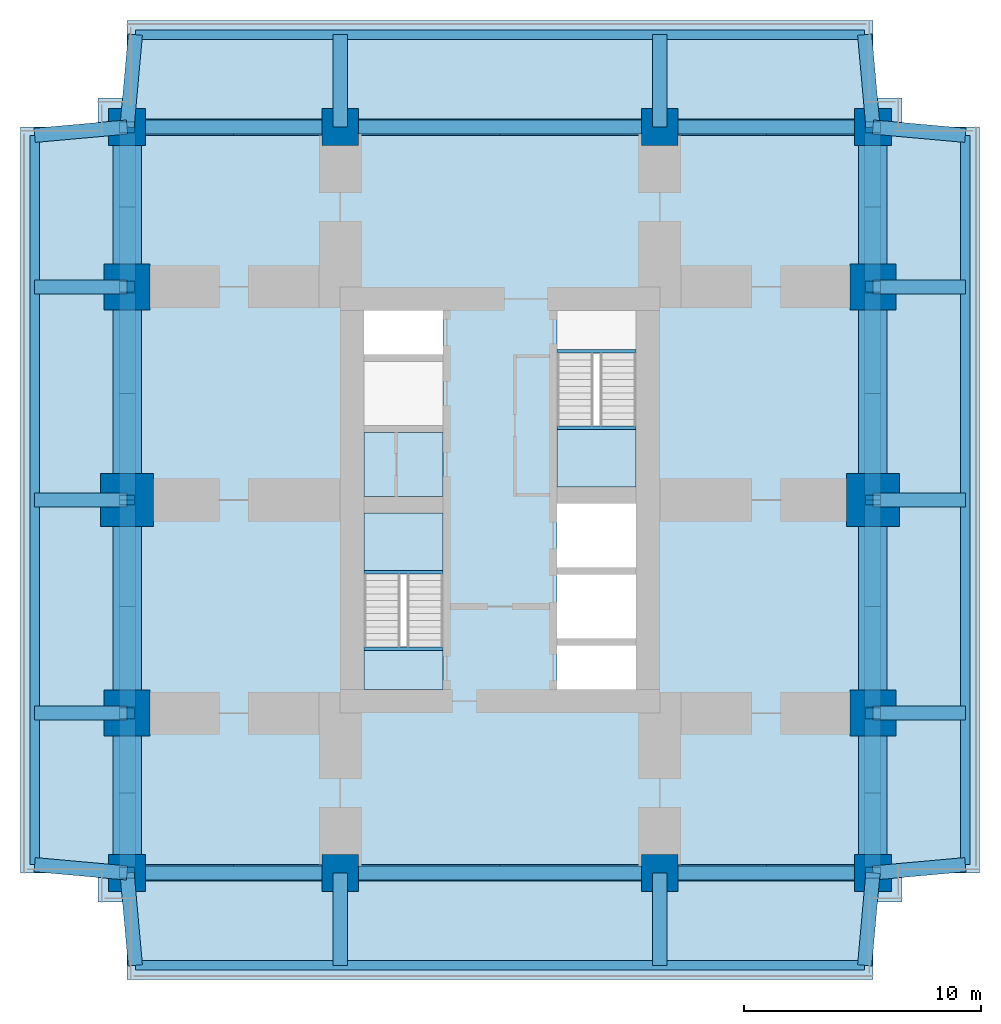
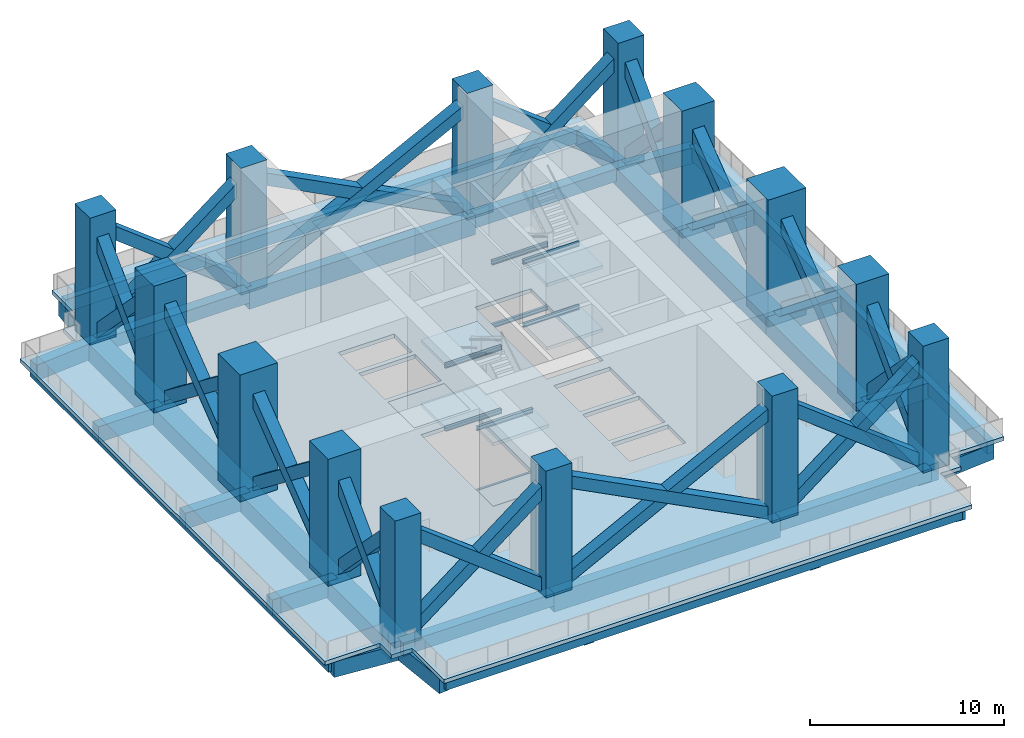
# One storey, part 1 of 6: 44 beams, 28 members, 14 columns, 8 slabs, 2 elements without a shape of their own.
"""IFC4 building model written with IfcOpenShell, lengths in metres."""

from ifc_helpers import new_model, si_unit, direction, frame, origin, origin_2d, place, context, subcontext, project, spatial, polyline, rectangle, hollow_rectangle, i_section, outline, extrude, material, layer, layer_set, material_profile, profile_set, type_object, element, aggregate, save


model = new_model("IFC4")

# Units and contexts
model_context = context("Model", 3, precision=1e-05, world=origin(), true_north=direction((0.0, 1.0)))
body_context = subcontext(model_context, "Body", "Model", "MODEL_VIEW")
ifc_project = project(units=[si_unit("LENGTHUNIT", "METRE"), si_unit("AREAUNIT", "SQUARE_METRE"), si_unit("VOLUMEUNIT", "CUBIC_METRE"), si_unit("PLANEANGLEUNIT", "RADIAN"), si_unit("MASSUNIT", "GRAM", prefix="KILO")], contexts=[model_context])

# Site, building, storey
site_placement = place(None, origin())
site = spatial("IfcSite", under=ifc_project, at=site_placement, CompositionType="ELEMENT")
building_placement = place(site_placement, origin())
building = spatial("IfcBuilding", under=site, at=building_placement, Name="Namib Vertical Campus", CompositionType="ELEMENT")
storey_placement = place(building_placement, frame((0.0, 0.0, 245.0)))
storey = spatial("IfcBuildingStorey", under=building, at=storey_placement, Name="L58", CompositionType="ELEMENT", Elevation=245.0)

# Columns
ifc_material_1 = material(Name="Concrete C60/75", Category="concrete")
ifc_material_profile_1 = material_profile(ifc_material_1, rectangle(XDim=1.550048828125, YDim=1.550048828125, at=origin_2d()))
ifc_profile_set_1 = profile_set([ifc_material_profile_1], Name="Concrete C60/75")
column_type_1 = type_object("IfcColumnType", Name="Column RC 1550x1550", PredefinedType="COLUMN", material=ifc_profile_set_1)
for number, where, z_axis, x_axis, name in (
    (1, (4.5, 4.5, 0.0), (0.0, 0.0, 1.0), (1.0, 0.0, 0.0), "Column C155 L58"),
    (2, (13.5, 4.5, 0.0), (0.0, 0.0, 1.0), (1.0, 0.0, 0.0), "Column C155 L58"),
    (3, (27.0, 4.5, 0.0), (0.0, 0.0, 1.0), (1.0, 0.0, 0.0), "Column C155 L58"),
    (4, (36.0, 4.5, 0.0), (0.0, 0.0, 1.0), (1.0, 0.0, 0.0), "Column C155 L58"),
    (5, (4.5, 36.0, 0.0), (0.0, 0.0, 1.0), (1.0, 0.0, 0.0), "Column C155 L58"),
    (6, (13.5, 36.0, 0.0), (0.0, 0.0, 1.0), (1.0, 0.0, 0.0), "Column C155 L58"),
    (7, (27.0, 36.0, 0.0), (0.0, 0.0, 1.0), (1.0, 0.0, 0.0), "Column C155 L58"),
    (8, (36.0, 36.0, 0.0), (0.0, 0.0, 1.0), (1.0, 0.0, 0.0), "Column C155 L58"),
):
    element("IfcColumn", number, at=place(storey_placement, frame(where, z_axis=z_axis, x_axis=x_axis)), inside=storey, type_object=column_type_1, Name=name, PredefinedType="COLUMN", context=body_context, shape_type="SweptSolid", body=[
        extrude(rectangle(XDim=1.550048828125, YDim=1.550048828125, at=origin_2d()), origin(), (0.0, 0.0, 1.0), 8.0),
    ])
ifc_material_2 = material(Name="Concrete C60/75", Category="concrete")
ifc_material_profile_2 = material_profile(ifc_material_2, rectangle(XDim=1.949951171875, YDim=1.949951171875, at=origin_2d()))
ifc_profile_set_2 = profile_set([ifc_material_profile_2], Name="Concrete C60/75")
column_type_2 = type_object("IfcColumnType", Name="Column RC 1950x1950", PredefinedType="COLUMN", material=ifc_profile_set_2)
for number, where, z_axis, x_axis, name in (
    (9, (4.5, 11.25, 0.0), (0.0, 0.0, 1.0), (1.0, 0.0, 0.0), "Column C195 L58"),
    (10, (36.0, 11.25, 0.0), (0.0, 0.0, 1.0), (1.0, 0.0, 0.0), "Column C195 L58"),
    (11, (4.5, 29.25, 0.0), (0.0, 0.0, 1.0), (1.0, 0.0, 0.0), "Column C195 L58"),
    (12, (36.0, 29.25, 0.0), (0.0, 0.0, 1.0), (1.0, 0.0, 0.0), "Column C195 L58"),
):
    element("IfcColumn", number, at=place(storey_placement, frame(where, z_axis=z_axis, x_axis=x_axis)), inside=storey, type_object=column_type_2, Name=name, PredefinedType="COLUMN", context=body_context, shape_type="SweptSolid", body=[
        extrude(rectangle(XDim=1.949951171875, YDim=1.949951171875, at=origin_2d()), origin(), (0.0, 0.0, 1.0), 8.0),
    ])
ifc_material_3 = material(Name="Concrete C60/75", Category="concrete")
ifc_material_profile_3 = material_profile(ifc_material_3, rectangle(XDim=2.25, YDim=2.25, at=origin_2d()))
ifc_profile_set_3 = profile_set([ifc_material_profile_3], Name="Concrete C60/75")
column_type_3 = type_object("IfcColumnType", Name="Column RC 2250x2250", PredefinedType="COLUMN", material=ifc_profile_set_3)
for number, where, z_axis, x_axis, name in (
    (13, (4.5, 20.25, 0.0), (0.0, 0.0, 1.0), (1.0, 0.0, 0.0), "Column C225 L58"),
    (14, (36.0, 20.25, 0.0), (0.0, 0.0, 1.0), (1.0, 0.0, 0.0), "Column C225 L58"),
):
    element("IfcColumn", number, at=place(storey_placement, frame(where, z_axis=z_axis, x_axis=x_axis)), inside=storey, type_object=column_type_3, Name=name, PredefinedType="COLUMN", context=body_context, shape_type="SweptSolid", body=[
        extrude(rectangle(XDim=2.25, YDim=2.25, at=origin_2d()), origin(), (0.0, 0.0, 1.0), 8.0),
    ])

# Members
ifc_material_4 = material(Name="Steel S355JR", Category="steel")
ifc_material_profile_4 = material_profile(ifc_material_4, hollow_rectangle(XDim=0.699951171875, YDim=0.699951171875, WallThickness=0.0400390625, at=origin_2d()))
ifc_profile_set_4 = profile_set([ifc_material_profile_4], Name="Steel S355JR")
member_type = type_object("IfcMemberType", Name="Belt truss diagonal WB 700x700x40", PredefinedType="BRACE", material=ifc_profile_set_4)
for number, where, z_axis, x_axis, name in (
    (15, (4.5, 4.5, 0.0), (0.79148044328, 0.0, 0.611194492699), (0.0, 1.0, 0.0), "Belt truss diagonal A L58 S1"),
    (16, (13.5, 4.5, 0.0), (-0.79148044328, 0.0, 0.611194492699), (0.0, -1.0, 0.0), "Belt truss diagonal A L58 S2"),
):
    element("IfcMember", number, at=place(storey_placement, frame(where, z_axis=z_axis, x_axis=x_axis)), inside=storey, type_object=member_type, Name=name, PredefinedType="BRACE", context=body_context, shape_type="SweptSolid", body=[
        extrude(hollow_rectangle(XDim=0.699951171875, YDim=0.699951171875, WallThickness=0.0400390625, at=origin_2d()), origin(), (0.0, 0.0, 1.0), 11.37109375),
    ])
for number, where, z_axis, x_axis, name in (
    (17, (13.5, 4.5, 0.0), (0.889097706218, 0.0, 0.457717455203), (0.0, 1.0, 0.0), "Belt truss diagonal A L58 S3"),
    (18, (27.0, 4.5, 0.0), (-0.889097706218, 0.0, 0.457717455203), (0.0, -1.0, 0.0), "Belt truss diagonal A L58 S4"),
):
    element("IfcMember", number, at=place(storey_placement, frame(where, z_axis=z_axis, x_axis=x_axis)), inside=storey, type_object=member_type, Name=name, PredefinedType="BRACE", context=body_context, shape_type="SweptSolid", body=[
        extrude(hollow_rectangle(XDim=0.699951171875, YDim=0.699951171875, WallThickness=0.0400390625, at=origin_2d()), origin(), (0.0, 0.0, 1.0), 15.183837890625),
    ])
for number, where, z_axis, x_axis, name in (
    (19, (27.0, 4.5, 0.0), (0.79148044328, 0.0, 0.611194492699), (0.0, 1.0, 0.0), "Belt truss diagonal A L58 S5"),
    (20, (36.0, 4.5, 0.0), (-0.79148044328, 0.0, 0.611194492699), (0.0, -1.0, 0.0), "Belt truss diagonal A L58 S6"),
    (21, (4.5, 36.0, 0.0), (0.79148044328, 0.0, 0.611194492699), (0.0, 1.0, 0.0), "Belt truss diagonal A L58 N7"),
    (22, (13.5, 36.0, 0.0), (-0.79148044328, 0.0, 0.611194492699), (0.0, -1.0, 0.0), "Belt truss diagonal A L58 N8"),
):
    element("IfcMember", number, at=place(storey_placement, frame(where, z_axis=z_axis, x_axis=x_axis)), inside=storey, type_object=member_type, Name=name, PredefinedType="BRACE", context=body_context, shape_type="SweptSolid", body=[
        extrude(hollow_rectangle(XDim=0.699951171875, YDim=0.699951171875, WallThickness=0.0400390625, at=origin_2d()), origin(), (0.0, 0.0, 1.0), 11.37109375),
    ])
for number, where, z_axis, x_axis, name in (
    (23, (13.5, 36.0, 0.0), (0.889097706218, 0.0, 0.457717455203), (0.0, 1.0, 0.0), "Belt truss diagonal A L58 N9"),
    (24, (27.0, 36.0, 0.0), (-0.889097706218, 0.0, 0.457717455203), (0.0, -1.0, 0.0), "Belt truss diagonal A L58 N10"),
):
    element("IfcMember", number, at=place(storey_placement, frame(where, z_axis=z_axis, x_axis=x_axis)), inside=storey, type_object=member_type, Name=name, PredefinedType="BRACE", context=body_context, shape_type="SweptSolid", body=[
        extrude(hollow_rectangle(XDim=0.699951171875, YDim=0.699951171875, WallThickness=0.0400390625, at=origin_2d()), origin(), (0.0, 0.0, 1.0), 15.183837890625),
    ])
for number, where, z_axis, x_axis, name in (
    (25, (27.0, 36.0, 0.0), (0.79148044328, 0.0, 0.611194492699), (0.0, 1.0, 0.0), "Belt truss diagonal A L58 N11"),
    (26, (36.0, 36.0, 0.0), (-0.79148044328, 0.0, 0.611194492699), (0.0, -1.0, 0.0), "Belt truss diagonal A L58 N12"),
):
    element("IfcMember", number, at=place(storey_placement, frame(where, z_axis=z_axis, x_axis=x_axis)), inside=storey, type_object=member_type, Name=name, PredefinedType="BRACE", context=body_context, shape_type="SweptSolid", body=[
        extrude(hollow_rectangle(XDim=0.699951171875, YDim=0.699951171875, WallThickness=0.0400390625, at=origin_2d()), origin(), (0.0, 0.0, 1.0), 11.37109375),
    ])
for number, where, z_axis, x_axis, name in (
    (27, (4.5, 4.5, 0.0), (0.0, 0.696712336785, 0.717350625407), (-1.0, 0.0, 0.0), "Belt truss diagonal A L58 W13"),
    (28, (4.5, 11.25, 0.0), (0.0, -0.696712336785, 0.717350625407), (1.0, 0.0, 0.0), "Belt truss diagonal A L58 W14"),
):
    element("IfcMember", number, at=place(storey_placement, frame(where, z_axis=z_axis, x_axis=x_axis)), inside=storey, type_object=member_type, Name=name, PredefinedType="BRACE", context=body_context, shape_type="SweptSolid", body=[
        extrude(hollow_rectangle(XDim=0.699951171875, YDim=0.699951171875, WallThickness=0.0400390625, at=origin_2d()), origin(), (0.0, 0.0, 1.0), 9.6884765625),
    ])
for number, where, z_axis, x_axis, name in (
    (29, (4.5, 11.25, 0.0), (0.0, 0.79148044328, 0.611194492699), (-1.0, 0.0, 0.0), "Belt truss diagonal A L58 W15"),
    (30, (4.5, 20.25, 0.0), (0.0, -0.79148044328, 0.611194492699), (1.0, 0.0, 0.0), "Belt truss diagonal A L58 W16"),
    (31, (4.5, 20.25, 0.0), (0.0, 0.79148044328, 0.611194492699), (-1.0, 0.0, 0.0), "Belt truss diagonal A L58 W17"),
    (32, (4.5, 29.25, 0.0), (0.0, -0.79148044328, 0.611194492699), (1.0, 0.0, 0.0), "Belt truss diagonal A L58 W18"),
):
    element("IfcMember", number, at=place(storey_placement, frame(where, z_axis=z_axis, x_axis=x_axis)), inside=storey, type_object=member_type, Name=name, PredefinedType="BRACE", context=body_context, shape_type="SweptSolid", body=[
        extrude(hollow_rectangle(XDim=0.699951171875, YDim=0.699951171875, WallThickness=0.0400390625, at=origin_2d()), origin(), (0.0, 0.0, 1.0), 11.37109375),
    ])
for number, where, z_axis, x_axis, name in (
    (33, (4.5, 29.25, 0.0), (0.0, 0.696712336785, 0.717350625407), (-1.0, 0.0, 0.0), "Belt truss diagonal A L58 W19"),
    (34, (4.5, 36.0, 0.0), (0.0, -0.696712336785, 0.717350625407), (1.0, 0.0, 0.0), "Belt truss diagonal A L58 W20"),
    (35, (36.0, 4.5, 0.0), (0.0, 0.696712336785, 0.717350625407), (-1.0, 0.0, 0.0), "Belt truss diagonal A L58 E21"),
    (36, (36.0, 11.25, 0.0), (0.0, -0.696712336785, 0.717350625407), (1.0, 0.0, 0.0), "Belt truss diagonal A L58 E22"),
):
    element("IfcMember", number, at=place(storey_placement, frame(where, z_axis=z_axis, x_axis=x_axis)), inside=storey, type_object=member_type, Name=name, PredefinedType="BRACE", context=body_context, shape_type="SweptSolid", body=[
        extrude(hollow_rectangle(XDim=0.699951171875, YDim=0.699951171875, WallThickness=0.0400390625, at=origin_2d()), origin(), (0.0, 0.0, 1.0), 9.6884765625),
    ])
for number, where, z_axis, x_axis, name in (
    (37, (36.0, 11.25, 0.0), (0.0, 0.79148044328, 0.611194492699), (-1.0, 0.0, 0.0), "Belt truss diagonal A L58 E23"),
    (38, (36.0, 20.25, 0.0), (0.0, -0.79148044328, 0.611194492699), (1.0, 0.0, 0.0), "Belt truss diagonal A L58 E24"),
    (39, (36.0, 20.25, 0.0), (0.0, 0.79148044328, 0.611194492699), (-1.0, 0.0, 0.0), "Belt truss diagonal A L58 E25"),
    (40, (36.0, 29.25, 0.0), (0.0, -0.79148044328, 0.611194492699), (1.0, 0.0, 0.0), "Belt truss diagonal A L58 E26"),
):
    element("IfcMember", number, at=place(storey_placement, frame(where, z_axis=z_axis, x_axis=x_axis)), inside=storey, type_object=member_type, Name=name, PredefinedType="BRACE", context=body_context, shape_type="SweptSolid", body=[
        extrude(hollow_rectangle(XDim=0.699951171875, YDim=0.699951171875, WallThickness=0.0400390625, at=origin_2d()), origin(), (0.0, 0.0, 1.0), 11.37109375),
    ])
for number, where, z_axis, x_axis, name in (
    (41, (36.0, 29.25, 0.0), (0.0, 0.696712336785, 0.717350625407), (-1.0, 0.0, 0.0), "Belt truss diagonal A L58 E27"),
    (42, (36.0, 36.0, 0.0), (0.0, -0.696712336785, 0.717350625407), (1.0, 0.0, 0.0), "Belt truss diagonal A L58 E28"),
):
    element("IfcMember", number, at=place(storey_placement, frame(where, z_axis=z_axis, x_axis=x_axis)), inside=storey, type_object=member_type, Name=name, PredefinedType="BRACE", context=body_context, shape_type="SweptSolid", body=[
        extrude(hollow_rectangle(XDim=0.699951171875, YDim=0.699951171875, WallThickness=0.0400390625, at=origin_2d()), origin(), (0.0, 0.0, 1.0), 9.6884765625),
    ])

# Beams
ifc_material_5 = material(Name="Concrete C40/50", Category="concrete")
ifc_material_profile_5 = material_profile(ifc_material_5, rectangle(XDim=1.199951171875, YDim=1.10009765625, at=origin_2d()))
ifc_profile_set_5 = profile_set([ifc_material_profile_5], Name="Concrete C40/50")
beam_type_1 = type_object("IfcBeamType", Name="Face ring beam RC 1200x1100", PredefinedType="BEAM", material=ifc_profile_set_5)
beam_1_placement = place(storey_placement, frame((4.5, 4.5, -0.800048828125), z_axis=(0.0, 1.0, 0.0), x_axis=(-1.0, 0.0, 0.0)))
element("IfcBeam", 43, at=beam_1_placement, inside=storey, type_object=beam_type_1, Name="Beam B11 L58", PredefinedType="BEAM", context=body_context, shape_type="SweptSolid", body=[
    extrude(rectangle(XDim=1.199951171875, YDim=1.10009765625, at=origin_2d()), origin(), (0.0, 0.0, 1.0), 6.75),
])
for number, where, z_axis, x_axis, name in (
    (44, (4.5, 11.25, -0.800048828125), (0.0, 1.0, 0.0), (-1.0, 0.0, 0.0), "Beam B11 L58"),
    (45, (4.5, 20.25, -0.800048828125), (0.0, 1.0, 0.0), (-1.0, 0.0, 0.0), "Beam B11 L58"),
):
    element("IfcBeam", number, at=place(storey_placement, frame(where, z_axis=z_axis, x_axis=x_axis)), inside=storey, type_object=beam_type_1, Name=name, PredefinedType="BEAM", context=body_context, shape_type="SweptSolid", body=[
        extrude(rectangle(XDim=1.199951171875, YDim=1.10009765625, at=origin_2d()), origin(), (0.0, 0.0, 1.0), 9.0),
    ])
for number, where, z_axis, x_axis, name in (
    (46, (4.5, 29.25, -0.800048828125), (0.0, 1.0, 0.0), (-1.0, 0.0, 0.0), "Beam B11 L58"),
    (47, (36.0, 4.5, -0.800048828125), (0.0, 1.0, 0.0), (-1.0, 0.0, 0.0), "Beam B11 L58"),
):
    element("IfcBeam", number, at=place(storey_placement, frame(where, z_axis=z_axis, x_axis=x_axis)), inside=storey, type_object=beam_type_1, Name=name, PredefinedType="BEAM", context=body_context, shape_type="SweptSolid", body=[
        extrude(rectangle(XDim=1.199951171875, YDim=1.10009765625, at=origin_2d()), origin(), (0.0, 0.0, 1.0), 6.75),
    ])
for number, where, z_axis, x_axis, name in (
    (48, (36.0, 11.25, -0.800048828125), (0.0, 1.0, 0.0), (-1.0, 0.0, 0.0), "Beam B11 L58"),
    (49, (36.0, 20.25, -0.800048828125), (0.0, 1.0, 0.0), (-1.0, 0.0, 0.0), "Beam B11 L58"),
):
    element("IfcBeam", number, at=place(storey_placement, frame(where, z_axis=z_axis, x_axis=x_axis)), inside=storey, type_object=beam_type_1, Name=name, PredefinedType="BEAM", context=body_context, shape_type="SweptSolid", body=[
        extrude(rectangle(XDim=1.199951171875, YDim=1.10009765625, at=origin_2d()), origin(), (0.0, 0.0, 1.0), 9.0),
    ])
beam_2_placement = place(storey_placement, frame((36.0, 29.25, -0.800048828125), z_axis=(0.0, 1.0, 0.0), x_axis=(-1.0, 0.0, 0.0)))
element("IfcBeam", 50, at=beam_2_placement, inside=storey, type_object=beam_type_1, Name="Beam B11 L58", PredefinedType="BEAM", context=body_context, shape_type="SweptSolid", body=[
    extrude(rectangle(XDim=1.199951171875, YDim=1.10009765625, at=origin_2d()), origin(), (0.0, 0.0, 1.0), 6.75),
])
ifc_material_6 = material(Name="Steel S355JR", Category="steel")
ifc_material_profile_6 = material_profile(ifc_material_6, i_section(OverallWidth=0.14599609375, OverallDepth=0.25146484375, WebThickness=0.006103515625, FlangeThickness=0.008544921875, FilletRadius=0.007568359375, at=origin_2d()))
ifc_profile_set_6 = profile_set([ifc_material_profile_6], Name="Steel S355JR")
beam_type_2 = type_object("IfcBeamType", Name="Landing trimmer UB 254x146x31", PredefinedType="BEAM", material=ifc_profile_set_6)
for number, where, z_axis, x_axis, name in (
    (51, (14.5, 13.97705078125, -0.125732421875), (1.0, 0.0, 0.0), (0.0, 1.0, 0.0), "Landing trimmer LT1 A-S1 L58 1"),
    (52, (14.5, 17.203125, 1.874267578125), (1.0, 0.0, 0.0), (0.0, 1.0, 0.0), "Landing trimmer LT1 A-S1 L58 2"),
    (53, (14.5, 13.97705078125, 3.874267578125), (1.0, 0.0, 0.0), (0.0, 1.0, 0.0), "Landing trimmer LT1 A-S1 L58 3"),
    (54, (14.5, 17.203125, 5.874267578125), (1.0, 0.0, 0.0), (0.0, 1.0, 0.0), "Landing trimmer LT1 A-S1 L58 4"),
    (55, (22.64990234375, 26.52294921875, -0.125732421875), (1.0, 0.0, 0.0), (0.0, 1.0, 0.0), "Landing trimmer LT1 A-S2 L58 1"),
    (56, (22.64990234375, 23.296875, 1.874267578125), (1.0, 0.0, 0.0), (0.0, 1.0, 0.0), "Landing trimmer LT1 A-S2 L58 2"),
    (57, (22.64990234375, 26.52294921875, 3.874267578125), (1.0, 0.0, 0.0), (0.0, 1.0, 0.0), "Landing trimmer LT1 A-S2 L58 3"),
    (58, (22.64990234375, 23.296875, 5.874267578125), (1.0, 0.0, 0.0), (0.0, 1.0, 0.0), "Landing trimmer LT1 A-S2 L58 4"),
):
    element("IfcBeam", number, at=place(storey_placement, frame(where, z_axis=z_axis, x_axis=x_axis)), inside=storey, type_object=beam_type_2, Name=name, PredefinedType="BEAM", context=body_context, shape_type="SweptSolid", body=[
        extrude(i_section(OverallWidth=0.14599609375, OverallDepth=0.25146484375, WebThickness=0.006103515625, FlangeThickness=0.008544921875, FilletRadius=0.007568359375, at=origin_2d()), origin(), (0.0, 0.0, 1.0), 3.35009765625),
    ])
ifc_material_7 = material(Name="Concrete C40/50", Category="concrete")
ifc_material_profile_7 = material_profile(ifc_material_7, rectangle(XDim=0.60009765625, YDim=1.199951171875, at=origin_2d()))
ifc_profile_set_7 = profile_set([ifc_material_profile_7], Name="Concrete C40/50")
beam_type_3 = type_object("IfcBeamType", Name="Long-span ring beam RC 600x1200", PredefinedType="BEAM", material=ifc_profile_set_7)
for number, where, z_axis, x_axis, name in (
    (59, (13.5, 4.5, -0.85009765625), (1.0, 0.0, 0.0), (0.0, 1.0, 0.0), "Beam B9 L58"),
    (60, (13.5, 36.0, -0.85009765625), (1.0, 0.0, 0.0), (0.0, 1.0, 0.0), "Beam B9 L58"),
):
    element("IfcBeam", number, at=place(storey_placement, frame(where, z_axis=z_axis, x_axis=x_axis)), inside=storey, type_object=beam_type_3, Name=name, PredefinedType="BEAM", context=body_context, shape_type="SweptSolid", body=[
        extrude(rectangle(XDim=0.60009765625, YDim=1.199951171875, at=origin_2d()), origin(), (0.0, 0.0, 1.0), 13.5),
    ])
ifc_material_8 = material(Name="Concrete C40/50", Category="concrete")
ifc_material_profile_8 = material_profile(ifc_material_8, rectangle(XDim=0.60009765625, YDim=1.0, at=origin_2d()))
ifc_profile_set_8 = profile_set([ifc_material_profile_8], Name="Concrete C40/50")
beam_type_4 = type_object("IfcBeamType", Name="Portal cantilever girder RC 600x1000", PredefinedType="BEAM", material=ifc_profile_set_8)
beam_3_placement = place(storey_placement, frame((4.5, 4.5, -0.75), z_axis=(0.089411326146, -0.995994786511, 0.0), x_axis=(0.995994786511, 0.089411326146, 0.0)))
element("IfcBeam", 61, at=beam_3_placement, inside=storey, type_object=beam_type_4, Name="Beam B14 L58", PredefinedType="BEAM", context=body_context, shape_type="SweptSolid", body=[
    extrude(rectangle(XDim=0.60009765625, YDim=1.0, at=origin_2d()), origin(), (0.0, 0.0, 1.0), 3.91552734375),
])
for number, where, z_axis, x_axis, name in (
    (62, (13.5, 4.5, -0.75), (0.0, -1.0, 0.0), (1.0, 0.0, 0.0), "Beam B14 L58"),
    (63, (27.0, 4.5, -0.75), (0.0, -1.0, 0.0), (1.0, 0.0, 0.0), "Beam B14 L58"),
):
    element("IfcBeam", number, at=place(storey_placement, frame(where, z_axis=z_axis, x_axis=x_axis)), inside=storey, type_object=beam_type_4, Name=name, PredefinedType="BEAM", context=body_context, shape_type="SweptSolid", body=[
        extrude(rectangle(XDim=0.60009765625, YDim=1.0, at=origin_2d()), origin(), (0.0, 0.0, 1.0), 3.89990234375),
    ])
for number, where, z_axis, x_axis, name in (
    (64, (36.0, 4.5, -0.75), (-0.089411326146, -0.995994786511, 0.0), (0.995994786511, -0.089411326146, 0.0), "Beam B14 L58"),
    (65, (4.5, 36.0, -0.75), (0.089411326146, 0.995994786511, 0.0), (-0.995994786511, 0.089411326146, 0.0), "Beam B14 L58"),
):
    element("IfcBeam", number, at=place(storey_placement, frame(where, z_axis=z_axis, x_axis=x_axis)), inside=storey, type_object=beam_type_4, Name=name, PredefinedType="BEAM", context=body_context, shape_type="SweptSolid", body=[
        extrude(rectangle(XDim=0.60009765625, YDim=1.0, at=origin_2d()), origin(), (0.0, 0.0, 1.0), 3.91552734375),
    ])
for number, where, z_axis, x_axis, name in (
    (66, (13.5, 36.0, -0.75), (0.0, 1.0, 0.0), (-1.0, 0.0, 0.0), "Beam B14 L58"),
    (67, (27.0, 36.0, -0.75), (0.0, 1.0, 0.0), (-1.0, 0.0, 0.0), "Beam B14 L58"),
):
    element("IfcBeam", number, at=place(storey_placement, frame(where, z_axis=z_axis, x_axis=x_axis)), inside=storey, type_object=beam_type_4, Name=name, PredefinedType="BEAM", context=body_context, shape_type="SweptSolid", body=[
        extrude(rectangle(XDim=0.60009765625, YDim=1.0, at=origin_2d()), origin(), (0.0, 0.0, 1.0), 3.89990234375),
    ])
for number, where, z_axis, x_axis, name in (
    (68, (36.0, 36.0, -0.75), (-0.089411326146, 0.995994786511, 0.0), (-0.995994786511, -0.089411326146, 0.0), "Beam B14 L58"),
    (69, (4.5, 4.5, -0.75), (-0.995994786511, 0.089411326146, 0.0), (-0.089411326146, -0.995994786511, 0.0), "Beam B14 L58"),
):
    element("IfcBeam", number, at=place(storey_placement, frame(where, z_axis=z_axis, x_axis=x_axis)), inside=storey, type_object=beam_type_4, Name=name, PredefinedType="BEAM", context=body_context, shape_type="SweptSolid", body=[
        extrude(rectangle(XDim=0.60009765625, YDim=1.0, at=origin_2d()), origin(), (0.0, 0.0, 1.0), 3.91552734375),
    ])
for number, where, z_axis, x_axis, name in (
    (70, (4.5, 11.25, -0.75), (-1.0, 0.0, 0.0), (0.0, -1.0, 0.0), "Beam B14 L58"),
    (71, (4.5, 20.25, -0.75), (-1.0, 0.0, 0.0), (0.0, -1.0, 0.0), "Beam B14 L58"),
    (72, (4.5, 29.25, -0.75), (-1.0, 0.0, 0.0), (0.0, -1.0, 0.0), "Beam B14 L58"),
):
    element("IfcBeam", number, at=place(storey_placement, frame(where, z_axis=z_axis, x_axis=x_axis)), inside=storey, type_object=beam_type_4, Name=name, PredefinedType="BEAM", context=body_context, shape_type="SweptSolid", body=[
        extrude(rectangle(XDim=0.60009765625, YDim=1.0, at=origin_2d()), origin(), (0.0, 0.0, 1.0), 3.89990234375),
    ])
for number, where, z_axis, x_axis, name in (
    (73, (4.5, 36.0, -0.75), (-0.995994786511, -0.089411326146, 0.0), (0.089411326146, -0.995994786511, 0.0), "Beam B14 L58"),
    (74, (36.0, 4.5, -0.75), (0.995994786511, 0.089411326146, 0.0), (-0.089411326146, 0.995994786511, 0.0), "Beam B14 L58"),
):
    element("IfcBeam", number, at=place(storey_placement, frame(where, z_axis=z_axis, x_axis=x_axis)), inside=storey, type_object=beam_type_4, Name=name, PredefinedType="BEAM", context=body_context, shape_type="SweptSolid", body=[
        extrude(rectangle(XDim=0.60009765625, YDim=1.0, at=origin_2d()), origin(), (0.0, 0.0, 1.0), 3.91552734375),
    ])
for number, where, z_axis, x_axis, name in (
    (75, (36.0, 11.25, -0.75), (1.0, 0.0, 0.0), (0.0, 1.0, 0.0), "Beam B14 L58"),
    (76, (36.0, 20.25, -0.75), (1.0, 0.0, 0.0), (0.0, 1.0, 0.0), "Beam B14 L58"),
    (77, (36.0, 29.25, -0.75), (1.0, 0.0, 0.0), (0.0, 1.0, 0.0), "Beam B14 L58"),
):
    element("IfcBeam", number, at=place(storey_placement, frame(where, z_axis=z_axis, x_axis=x_axis)), inside=storey, type_object=beam_type_4, Name=name, PredefinedType="BEAM", context=body_context, shape_type="SweptSolid", body=[
        extrude(rectangle(XDim=0.60009765625, YDim=1.0, at=origin_2d()), origin(), (0.0, 0.0, 1.0), 3.89990234375),
    ])
beam_4_placement = place(storey_placement, frame((36.0, 36.0, -0.75), z_axis=(0.995994786511, -0.089411326146, 0.0), x_axis=(0.089411326146, 0.995994786511, 0.0)))
element("IfcBeam", 78, at=beam_4_placement, inside=storey, type_object=beam_type_4, Name="Beam B14 L58", PredefinedType="BEAM", context=body_context, shape_type="SweptSolid", body=[
    extrude(rectangle(XDim=0.60009765625, YDim=1.0, at=origin_2d()), origin(), (0.0, 0.0, 1.0), 3.91552734375),
])
ifc_material_9 = material(Name="Concrete C40/50", Category="concrete")
ifc_material_profile_9 = material_profile(ifc_material_9, rectangle(XDim=0.39990234375, YDim=0.800048828125, at=origin_2d()))
ifc_profile_set_9 = profile_set([ifc_material_profile_9], Name="Concrete C40/50")
beam_type_5 = type_object("IfcBeamType", Name="Portal floor edge beam RC 400x800", PredefinedType="SPANDREL", material=ifc_profile_set_9)
for number, where, z_axis, x_axis, name in (
    (79, (4.85009765625, 0.60009765625, -0.64990234375), (1.0, 0.0, 0.0), (0.0, 1.0, 0.0), "Beam B15 L58"),
    (80, (4.85009765625, 39.89990234375, -0.64990234375), (1.0, 0.0, 0.0), (0.0, 1.0, 0.0), "Beam B15 L58"),
    (81, (0.60009765625, 4.85009765625, -0.64990234375), (0.0, 1.0, 0.0), (-1.0, 0.0, 0.0), "Beam B15 L58"),
    (82, (39.89990234375, 4.85009765625, -0.64990234375), (0.0, 1.0, 0.0), (-1.0, 0.0, 0.0), "Beam B15 L58"),
):
    element("IfcBeam", number, at=place(storey_placement, frame(where, z_axis=z_axis, x_axis=x_axis)), inside=storey, type_object=beam_type_5, Name=name, PredefinedType="SPANDREL", context=body_context, shape_type="SweptSolid", body=[
        extrude(rectangle(XDim=0.39990234375, YDim=0.800048828125, at=origin_2d()), origin(), (0.0, 0.0, 1.0), 30.7998046875),
    ])
ifc_material_10 = material(Name="Concrete C40/50", Category="concrete")
ifc_material_profile_10 = material_profile(ifc_material_10, rectangle(XDim=0.60009765625, YDim=0.800048828125, at=origin_2d()))
ifc_profile_set_10 = profile_set([ifc_material_profile_10], Name="Concrete C40/50")
beam_type_6 = type_object("IfcBeamType", Name="Ring beam RC 600x800", PredefinedType="BEAM", material=ifc_profile_set_10)
for number, where, z_axis, x_axis, name in (
    (83, (4.5, 4.5, -0.64990234375), (1.0, 0.0, 0.0), (0.0, 1.0, 0.0), "Beam B1 L58"),
    (84, (27.0, 4.5, -0.64990234375), (1.0, 0.0, 0.0), (0.0, 1.0, 0.0), "Beam B1 L58"),
    (85, (4.5, 36.0, -0.64990234375), (1.0, 0.0, 0.0), (0.0, 1.0, 0.0), "Beam B1 L58"),
    (86, (27.0, 36.0, -0.64990234375), (1.0, 0.0, 0.0), (0.0, 1.0, 0.0), "Beam B1 L58"),
):
    element("IfcBeam", number, at=place(storey_placement, frame(where, z_axis=z_axis, x_axis=x_axis)), inside=storey, type_object=beam_type_6, Name=name, PredefinedType="BEAM", context=body_context, shape_type="SweptSolid", body=[
        extrude(rectangle(XDim=0.60009765625, YDim=0.800048828125, at=origin_2d()), origin(), (0.0, 0.0, 1.0), 9.0),
    ])

# Slabs
ifc_material_11 = material(Name="Concrete C40/50", Category="concrete")
ifc_layer_1 = layer(ifc_material_11, 0.25)
ifc_layer_set_1 = layer_set([ifc_layer_1], Name="Concrete C40/50")
slab_type_1 = type_object("IfcSlabType", Name="Floor slab 250", PredefinedType="FLOOR", material=ifc_layer_set_1)
slab_1_placement = place(storey_placement, frame((0.0, 0.0, -0.25)))
element("IfcSlab", 87, at=slab_1_placement, inside=storey, type_object=slab_type_1, Name="Floor slab A L58", PredefinedType="FLOOR", context=body_context, shape_type="SweptSolid", body=[
    extrude(outline(polyline([(4.5, 0.0), (36.0, 0.0), (36.0, 3.27490234375), (37.22509765625, 3.27490234375), (37.22509765625, 4.5), (40.5, 4.5), (40.5, 36.0), (37.22509765625, 36.0), (37.22509765625, 37.22509765625), (36.0, 37.22509765625), (36.0, 40.5), (4.5, 40.5), (4.5, 37.22509765625), (3.27490234375, 37.22509765625), (3.27490234375, 36.0), (0.0, 36.0), (0.0, 4.5), (3.27490234375, 4.5), (3.27490234375, 3.27490234375), (4.5, 3.27490234375), (4.5, 0.0)]), holes=[polyline([(14.5, 12.25), (17.85009765625, 12.25), (17.85009765625, 19.699951171875), (14.5, 19.699951171875), (14.5, 12.25)]), polyline([(22.64990234375, 20.800048828125), (26.0, 20.800048828125), (26.0, 28.25), (22.64990234375, 28.25), (22.64990234375, 20.800048828125)]), polyline([(22.64990234375, 12.25), (26.0, 12.25), (26.0, 14.10009765625), (22.64990234375, 14.10009765625), (22.64990234375, 12.25)]), polyline([(14.5, 20.39990234375), (17.85009765625, 20.39990234375), (17.85009765625, 23.10009765625), (14.5, 23.10009765625), (14.5, 20.39990234375)]), polyline([(14.5, 23.39990234375), (17.85009765625, 23.39990234375), (17.85009765625, 26.10009765625), (14.5, 26.10009765625), (14.5, 23.39990234375)]), polyline([(14.5, 26.39990234375), (17.85009765625, 26.39990234375), (17.85009765625, 28.25), (14.5, 28.25), (14.5, 26.39990234375)]), polyline([(22.64990234375, 14.39990234375), (26.0, 14.39990234375), (26.0, 17.10009765625), (22.64990234375, 17.10009765625), (22.64990234375, 14.39990234375)]), polyline([(22.64990234375, 17.39990234375), (26.0, 17.39990234375), (26.0, 20.10009765625), (22.64990234375, 20.10009765625), (22.64990234375, 17.39990234375)])]), origin(), (0.0, 0.0, 1.0), 0.25),
])
ifc_material_12 = material(Name="Concrete C40/50 precast", Category="concrete")
ifc_layer_2 = layer(ifc_material_12, 0.25)
ifc_layer_set_2 = layer_set([ifc_layer_2], Name="Concrete C40/50 precast")
slab_type_2 = type_object("IfcSlabType", Name="Shaft infill floor 250", PredefinedType="FLOOR", material=ifc_layer_set_2)
slab_2_placement = place(storey_placement, frame((0.0, 0.0, -0.25)))
element("IfcSlab", 88, at=slab_2_placement, inside=storey, type_object=slab_type_2, Name="Shaft infill floor A L58 P1", PredefinedType="FLOOR", context=body_context, shape_type="SweptSolid", body=[
    extrude(outline(polyline([(14.5, 20.39990234375), (17.85009765625, 20.39990234375), (17.85009765625, 23.10009765625), (14.5, 23.10009765625), (14.5, 20.39990234375)])), origin(), (0.0, 0.0, 1.0), 0.25),
])

# Stair, slabs
ifc_material_13 = material(Name="Concrete C40/50 precast", Category="concrete")
stair_type = type_object("IfcStairType", Name="Exit stair 8000 rise 48 risers 3350 wide", PredefinedType="HALF_TURN_STAIR", material=ifc_material_13)
stair_1_placement = place(storey_placement, origin())
stair_1 = element("IfcStair", 89, at=stair_1_placement, inside=storey, type_object=stair_type, Name="Exit stair A-S1 L58", PredefinedType="HALF_TURN_STAIR")
ifc_material_14 = material(Name="Concrete C40/50", Category="concrete")
ifc_layer_3 = layer(ifc_material_14, 0.199951171875)
ifc_layer_set_3 = layer_set([ifc_layer_3], Name="Concrete C40/50")
slab_type_3 = type_object("IfcSlabType", Name="Stair landing 200", PredefinedType="LANDING", material=ifc_layer_set_3)
slab_3_placement = place(storey_placement, frame((0.0, 0.0, -0.199951171875)))
slab_3 = element("IfcSlab", 90, at=slab_3_placement, type_object=slab_type_3, Name="A-S1 landing 1", PredefinedType="LANDING", context=body_context, shape_type="SweptSolid", body=[
    extrude(outline(polyline([(14.5, 12.25), (17.85009765625, 12.25), (17.85009765625, 13.90380859375), (14.5, 13.90380859375), (14.5, 12.25)])), origin(), (0.0, 0.0, 1.0), 0.199951171875),
])
slab_4_placement = place(storey_placement, frame((0.0, 0.0, 1.800048828125)))
slab_4 = element("IfcSlab", 91, at=slab_4_placement, type_object=slab_type_3, Name="A-S1 landing 2", PredefinedType="LANDING", context=body_context, shape_type="SweptSolid", body=[
    extrude(outline(polyline([(14.5, 17.276123046875), (17.85009765625, 17.276123046875), (17.85009765625, 19.699951171875), (14.5, 19.699951171875), (14.5, 17.276123046875)])), origin(), (0.0, 0.0, 1.0), 0.199951171875),
])
slab_5_placement = place(storey_placement, frame((0.0, 0.0, 3.800048828125)))
slab_5 = element("IfcSlab", 92, at=slab_5_placement, type_object=slab_type_3, Name="A-S1 landing 3", PredefinedType="LANDING", context=body_context, shape_type="SweptSolid", body=[
    extrude(outline(polyline([(14.5, 12.25), (17.85009765625, 12.25), (17.85009765625, 13.90380859375), (14.5, 13.90380859375), (14.5, 12.25)])), origin(), (0.0, 0.0, 1.0), 0.199951171875),
])
slab_6_placement = place(storey_placement, frame((0.0, 0.0, 5.800048828125)))
slab_6 = element("IfcSlab", 93, at=slab_6_placement, type_object=slab_type_3, Name="A-S1 landing 4", PredefinedType="LANDING", context=body_context, shape_type="SweptSolid", body=[
    extrude(outline(polyline([(14.5, 17.276123046875), (17.85009765625, 17.276123046875), (17.85009765625, 19.699951171875), (14.5, 19.699951171875), (14.5, 17.276123046875)])), origin(), (0.0, 0.0, 1.0), 0.199951171875),
])
aggregate(stair_1, [slab_3, slab_4, slab_5, slab_6])

stair_2_placement = place(storey_placement, origin())
stair_2 = element("IfcStair", 94, at=stair_2_placement, inside=storey, type_object=stair_type, Name="Exit stair A-S2 L58", PredefinedType="HALF_TURN_STAIR")
slab_7_placement = place(storey_placement, frame((0.0, 0.0, 1.800048828125)))
slab_7 = element("IfcSlab", 95, at=slab_7_placement, type_object=slab_type_3, Name="A-S2 landing 2", PredefinedType="LANDING", context=body_context, shape_type="SweptSolid", body=[
    extrude(outline(polyline([(22.64990234375, 20.800048828125), (26.0, 20.800048828125), (26.0, 23.223876953125), (22.64990234375, 23.223876953125), (22.64990234375, 20.800048828125)])), origin(), (0.0, 0.0, 1.0), 0.199951171875),
])
slab_8_placement = place(storey_placement, frame((0.0, 0.0, 5.800048828125)))
slab_8 = element("IfcSlab", 96, at=slab_8_placement, type_object=slab_type_3, Name="A-S2 landing 4", PredefinedType="LANDING", context=body_context, shape_type="SweptSolid", body=[
    extrude(outline(polyline([(22.64990234375, 20.800048828125), (26.0, 20.800048828125), (26.0, 23.223876953125), (22.64990234375, 23.223876953125), (22.64990234375, 20.800048828125)])), origin(), (0.0, 0.0, 1.0), 0.199951171875),
])
aggregate(stair_2, [slab_7, slab_8])

save(model, "model.ifc")
